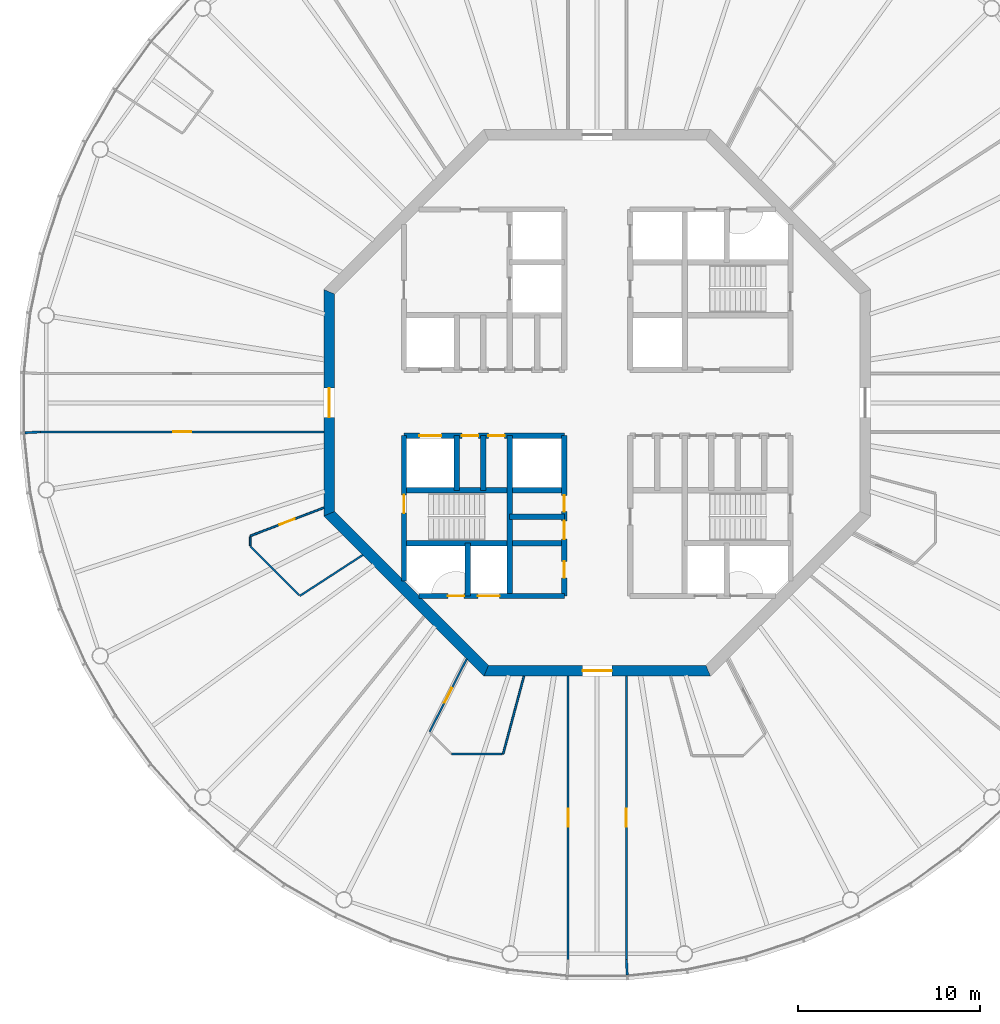
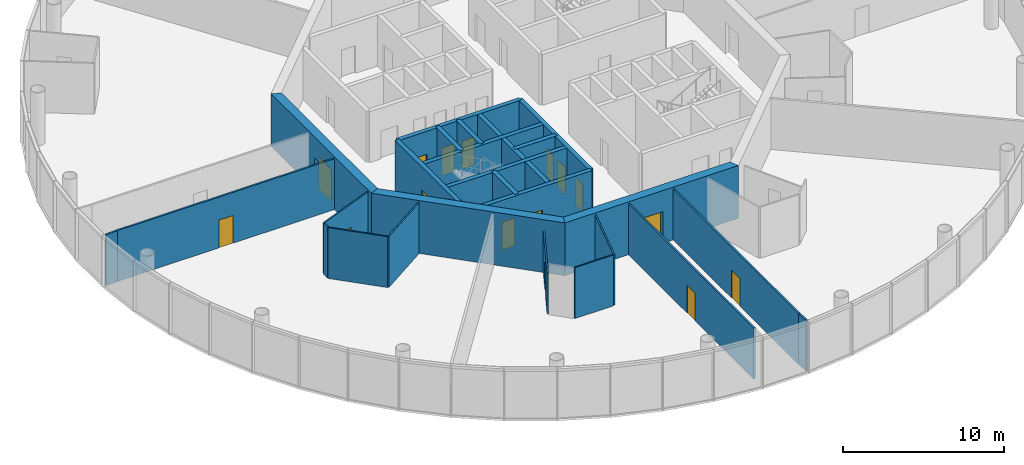
# One storey, part 3 of 13: 26 walls, 16 doors, 16 openings.
"""IFC4 building model written with IfcOpenShell, lengths in metres."""

from ifc_helpers import new_model, si_unit, direction, frame, frame_2d, origin, place, context, subcontext, project, spatial, polyline, rectangle, outline, extrude, material, layer, layer_set, type_object, element, fill, save


model = new_model("IFC4")

# Units and contexts
model_context = context("Model", 3, precision=1e-05, world=origin(), true_north=direction((0.0, 1.0)))
body_context = subcontext(model_context, "Body", "Model", "MODEL_VIEW")
ifc_project = project(units=[si_unit("LENGTHUNIT", "METRE"), si_unit("AREAUNIT", "SQUARE_METRE"), si_unit("VOLUMEUNIT", "CUBIC_METRE"), si_unit("PLANEANGLEUNIT", "RADIAN"), si_unit("MASSUNIT", "GRAM", prefix="KILO")], contexts=[model_context])

# Site, building, storey
site_placement = place(None, origin())
site = spatial("IfcSite", under=ifc_project, at=site_placement, CompositionType="ELEMENT")
building_placement = place(site_placement, origin())
building = spatial("IfcBuilding", under=site, at=building_placement, Name="Entoto Ring Tower", CompositionType="ELEMENT")
storey_placement = place(building_placement, frame((0.0, 0.0, 360.0)))
storey = spatial("IfcBuildingStorey", under=building, at=storey_placement, Name="L83", CompositionType="ELEMENT", Elevation=360.0)

# Wall, openings, doors
ifc_material_1 = material(Name="Concrete C40/50", Category="concrete")
ifc_layer_1 = layer(ifc_material_1, 0.300048828125)
ifc_layer_set_1 = layer_set([ifc_layer_1], Name="Concrete C40/50")
wall_type_1 = type_object("IfcWallType", Name="Core enclosure wall 300 mm reinforced concrete", PredefinedType="SOLIDWALL", material=ifc_layer_set_1)
wall_1_placement = place(storey_placement, frame((88.199951171875, 69.39990234375, 0.0), z_axis=(0.0, 0.0, 1.0), x_axis=(0.0, 1.0, 0.0)))
wall_1 = element("IfcWall", 1, at=wall_1_placement, inside=storey, type_object=wall_type_1, Name="wall-L83-013", PredefinedType="SOLIDWALL", context=body_context, shape_type="SweptSolid", body=[
    extrude(rectangle(XDim=8.800048828125, YDim=0.300048828125, at=frame_2d((4.39990234375, 0.0))), origin(), (0.0, 0.0, 1.0), 3.85009765625),
])
opening_1_placement = place(wall_1_placement, frame((3.125, 0.0, 0.0)))
opening_1 = element("IfcOpeningElement", 2, at=opening_1_placement, cuts=wall_1, Name="Opening K-70", PredefinedType="OPENING", context=body_context, shape_type="SweptSolid", body=[
    extrude(rectangle(XDim=1.0, YDim=2.10009765625, at=frame_2d((0.5, 1.050048828125))), frame((0.0, 0.16015625, 0.0), z_axis=(0.0, -1.0, 0.0), x_axis=(1.0, 0.0, 0.0)), (0.0, 0.0, 1.0), 0.320068359375),
])
opening_2_placement = place(wall_1_placement, frame((4.625, 0.0, 0.0)))
opening_2 = element("IfcOpeningElement", 3, at=opening_2_placement, cuts=wall_1, Name="Opening K-71", PredefinedType="OPENING", context=body_context, shape_type="SweptSolid", body=[
    extrude(rectangle(XDim=0.89990234375, YDim=2.10009765625, at=frame_2d((0.449951171875, 1.050048828125))), frame((0.0, 0.16015625, 0.0), z_axis=(0.0, -1.0, 0.0), x_axis=(1.0, 0.0, 0.0)), (0.0, 0.0, 1.0), 0.320068359375),
])
opening_3_placement = place(wall_1_placement, frame((1.0, 0.0, 0.0)))
opening_3 = element("IfcOpeningElement", 4, at=opening_3_placement, cuts=wall_1, Name="Opening K-24", PredefinedType="OPENING", context=body_context, shape_type="SweptSolid", body=[
    extrude(rectangle(XDim=0.89990234375, YDim=2.10009765625, at=frame_2d((0.449951171875, 1.050048828125))), frame((0.0, 0.16015625, 0.0), z_axis=(0.0, -1.0, 0.0), x_axis=(1.0, 0.0, 0.0)), (0.0, 0.0, 1.0), 0.320068359375),
])
ifc_material_2 = material(Name="Steel door leaf, fire rated", Category="steel")
ifc_layer_2 = layer(ifc_material_2, 0.050048828125)
ifc_layer_set_2 = layer_set([ifc_layer_2], Name="Steel door leaf, fire rated")
door_type_1 = type_object("IfcDoorType", Name="Accessible door 1000 x 2100 single leaf", OperationType="NOTDEFINED", PredefinedType="DOOR", material=ifc_layer_set_2)
door_1_placement = place(opening_1_placement, origin())
door_1 = element("IfcDoor", 5, at=door_1_placement, inside=storey, type_object=door_type_1, Name="Door K-70", OperationType="SINGLE_SWING_RIGHT", OverallHeight=2.10009765625, OverallWidth=1.0, PredefinedType="DOOR", context=body_context, shape_type="SweptSolid", body=[
    extrude(rectangle(XDim=1.0, YDim=2.10009765625, at=frame_2d((0.5, 1.050048828125))), frame((0.0, 0.02490234375, 0.0), z_axis=(0.0, -1.0, 0.0), x_axis=(1.0, 0.0, 0.0)), (0.0, 0.0, 1.0), 0.050048828125),
])
fill(opening_1, door_1)
ifc_material_3 = material(Name="Steel door leaf, fire rated", Category="steel")
ifc_layer_3 = layer(ifc_material_3, 0.050048828125)
ifc_layer_set_3 = layer_set([ifc_layer_3], Name="Steel door leaf, fire rated")
door_type_2 = type_object("IfcDoorType", Name="Core door 900 x 2100 single leaf", OperationType="NOTDEFINED", PredefinedType="DOOR", material=ifc_layer_set_3)
door_2_placement = place(opening_2_placement, origin())
door_2 = element("IfcDoor", 6, at=door_2_placement, inside=storey, type_object=door_type_2, Name="Door K-71", OperationType="SINGLE_SWING_RIGHT", OverallHeight=2.10009765625, OverallWidth=0.89990234375, PredefinedType="DOOR", context=body_context, shape_type="SweptSolid", body=[
    extrude(rectangle(XDim=0.89990234375, YDim=2.10009765625, at=frame_2d((0.449951171875, 1.050048828125))), frame((0.0, 0.02490234375, 0.0), z_axis=(0.0, -1.0, 0.0), x_axis=(1.0, 0.0, 0.0)), (0.0, 0.0, 1.0), 0.050048828125),
])
fill(opening_2, door_2)
door_3_placement = place(opening_3_placement, origin())
door_3 = element("IfcDoor", 7, at=door_3_placement, inside=storey, type_object=door_type_2, Name="Door K-24", OperationType="SINGLE_SWING_RIGHT", OverallHeight=2.10009765625, OverallWidth=0.89990234375, PredefinedType="DOOR", context=body_context, shape_type="SweptSolid", body=[
    extrude(rectangle(XDim=0.89990234375, YDim=2.10009765625, at=frame_2d((0.449951171875, 1.050048828125))), frame((0.0, 0.02490234375, 0.0), z_axis=(0.0, -1.0, 0.0), x_axis=(1.0, 0.0, 0.0)), (0.0, 0.0, 1.0), 0.050048828125),
])
fill(opening_3, door_3)

# Walls
wall_2_placement = place(storey_placement, frame((85.199951171875, 69.39990234375, 0.0), z_axis=(0.0, 0.0, 1.0), x_axis=(0.0, 1.0, 0.0)))
element("IfcWall", 8, at=wall_2_placement, inside=storey, type_object=wall_type_1, Name="wall-L83-016", PredefinedType="SOLIDWALL", context=body_context, shape_type="SweptSolid", body=[
    extrude(rectangle(XDim=8.800048828125, YDim=0.300048828125, at=frame_2d((4.39990234375, 0.0))), origin(), (0.0, 0.0, 1.0), 3.85009765625),
])
wall_3_placement = place(storey_placement, frame((83.75, 75.199951171875, 0.0), z_axis=(0.0, 0.0, 1.0), x_axis=(0.0, 1.0, 0.0)))
element("IfcWall", 9, at=wall_3_placement, inside=storey, type_object=wall_type_1, Name="wall-L83-018", PredefinedType="SOLIDWALL", context=body_context, shape_type="SweptSolid", body=[
    extrude(rectangle(XDim=3.0, YDim=0.300048828125, at=frame_2d((1.5, 0.0))), origin(), (0.0, 0.0, 1.0), 3.85009765625),
])
wall_4_placement = place(storey_placement, frame((82.89990234375, 69.39990234375, 0.0), z_axis=(0.0, 0.0, 1.0), x_axis=(0.0, 1.0, 0.0)))
element("IfcWall", 10, at=wall_4_placement, inside=storey, type_object=wall_type_1, Name="wall-L83-020", PredefinedType="SOLIDWALL", context=body_context, shape_type="SweptSolid", body=[
    extrude(rectangle(XDim=2.900146484375, YDim=0.300048828125, at=frame_2d((1.4501953125, 0.0))), origin(), (0.0, 0.0, 1.0), 3.85009765625),
])
wall_5_placement = place(storey_placement, frame((82.300048828125, 75.199951171875, 0.0), z_axis=(0.0, 0.0, 1.0), x_axis=(0.0, 1.0, 0.0)))
element("IfcWall", 11, at=wall_5_placement, inside=storey, type_object=wall_type_1, Name="wall-L83-021", PredefinedType="SOLIDWALL", context=body_context, shape_type="SweptSolid", body=[
    extrude(rectangle(XDim=3.0, YDim=0.300048828125, at=frame_2d((1.5, 0.0))), origin(), (0.0, 0.0, 1.0), 3.85009765625),
])

# Wall, opening, door
wall_6_placement = place(storey_placement, frame((79.39990234375, 70.2353515625, 0.0), z_axis=(0.0, 0.0, 1.0), x_axis=(0.0, 1.0, 0.0)))
wall_6 = element("IfcWall", 12, at=wall_6_placement, inside=storey, type_object=wall_type_1, Name="wall-L83-023", PredefinedType="SOLIDWALL", context=body_context, shape_type="SweptSolid", body=[
    extrude(rectangle(XDim=7.964599609375, YDim=0.300048828125, at=frame_2d((3.982421875, 0.0))), origin(), (0.0, 0.0, 1.0), 3.85009765625),
])
opening_4_placement = place(wall_6_placement, frame((3.714599609375, 0.0, 0.0)))
opening_4 = element("IfcOpeningElement", 13, at=opening_4_placement, cuts=wall_6, Name="Opening K-30", PredefinedType="OPENING", context=body_context, shape_type="SweptSolid", body=[
    extrude(rectangle(XDim=1.0, YDim=2.10009765625, at=frame_2d((0.5, 1.050048828125))), frame((0.0, 0.16015625, 0.0), z_axis=(0.0, -1.0, 0.0), x_axis=(1.0, 0.0, 0.0)), (0.0, 0.0, 1.0), 0.320068359375),
])
ifc_material_4 = material(Name="Steel door leaf, fire rated", Category="steel")
ifc_layer_4 = layer(ifc_material_4, 0.050048828125)
ifc_layer_set_4 = layer_set([ifc_layer_4], Name="Steel door leaf, fire rated")
door_type_3 = type_object("IfcDoorType", Name="Fire door FD60 1000 x 2100 single leaf", OperationType="NOTDEFINED", PredefinedType="DOOR", material=ifc_layer_set_4)
door_4_placement = place(opening_4_placement, frame((1.0, 0.0, 0.0), z_axis=(0.0, 0.0, 1.0), x_axis=(-1.0, 0.0, 0.0)))
door_4 = element("IfcDoor", 14, at=door_4_placement, inside=storey, type_object=door_type_3, Name="Door K-30", OperationType="SINGLE_SWING_LEFT", OverallHeight=2.10009765625, OverallWidth=1.0, PredefinedType="DOOR", context=body_context, shape_type="SweptSolid", body=[
    extrude(rectangle(XDim=1.0, YDim=2.10009765625, at=frame_2d((0.5, 1.050048828125))), frame((0.0, 0.02490234375, 0.0), z_axis=(0.0, -1.0, 0.0), x_axis=(1.0, 0.0, 0.0)), (0.0, 0.0, 1.0), 0.050048828125),
])
fill(opening_4, door_4)

# Wall, openings, doors
wall_7_placement = place(storey_placement, frame((80.2353515625, 69.39990234375, 0.0), z_axis=(0.0, 0.0, 1.0), x_axis=(1.0, 0.0, 0.0)))
wall_7 = element("IfcWall", 15, at=wall_7_placement, inside=storey, type_object=wall_type_1, Name="wall-L83-025", PredefinedType="SOLIDWALL", context=body_context, shape_type="SweptSolid", body=[
    extrude(rectangle(XDim=7.964599609375, YDim=0.300048828125, at=frame_2d((3.982421875, 0.0))), origin(), (0.0, 0.0, 1.0), 3.85009765625),
])
opening_5_placement = place(wall_7_placement, frame((3.214599609375, 0.0, 0.0)))
opening_5 = element("IfcOpeningElement", 16, at=opening_5_placement, cuts=wall_7, Name="Opening LD", PredefinedType="OPENING", context=body_context, shape_type="SweptSolid", body=[
    extrude(rectangle(XDim=1.199951171875, YDim=2.10009765625, at=frame_2d((0.60009765625, 1.050048828125))), frame((0.0, 0.16015625, 0.0), z_axis=(0.0, -1.0, 0.0), x_axis=(1.0, 0.0, 0.0)), (0.0, 0.0, 1.0), 0.320068359375),
])
opening_6_placement = place(wall_7_placement, frame((1.564697265625, 0.0, 0.0)))
opening_6 = element("IfcOpeningElement", 17, at=opening_6_placement, cuts=wall_7, Name="Opening K-33", PredefinedType="OPENING", context=body_context, shape_type="SweptSolid", body=[
    extrude(rectangle(XDim=0.89990234375, YDim=2.10009765625, at=frame_2d((0.449951171875, 1.050048828125))), frame((0.0, 0.16015625, 0.0), z_axis=(0.0, -1.0, 0.0), x_axis=(1.0, 0.0, 0.0)), (0.0, 0.0, 1.0), 0.320068359375),
])
ifc_material_5 = material(Name="Steel and glass door leaf", Category="steel")
ifc_layer_5 = layer(ifc_material_5, 0.050048828125)
ifc_layer_set_5 = layer_set([ifc_layer_5], Name="Steel and glass door leaf")
door_type_4 = type_object("IfcDoorType", Name="Landing door 1200 x 2100 sliding", OperationType="DOUBLE_DOOR_SLIDING", PredefinedType="DOOR", material=ifc_layer_set_5)
door_5_placement = place(opening_5_placement, origin())
door_5 = element("IfcDoor", 18, at=door_5_placement, inside=storey, type_object=door_type_4, Name="Landing door LB3-HR", OperationType="SLIDING_TO_RIGHT", OverallHeight=2.10009765625, OverallWidth=1.199951171875, PredefinedType="DOOR", context=body_context, shape_type="SweptSolid", body=[
    extrude(rectangle(XDim=1.199951171875, YDim=2.10009765625, at=frame_2d((0.60009765625, 1.050048828125))), frame((0.0, 0.02490234375, 0.0), z_axis=(0.0, -1.0, 0.0), x_axis=(1.0, 0.0, 0.0)), (0.0, 0.0, 1.0), 0.050048828125),
])
fill(opening_5, door_5)
ifc_material_6 = material(Name="Steel door leaf, fire rated", Category="steel")
ifc_layer_6 = layer(ifc_material_6, 0.050048828125)
ifc_layer_set_6 = layer_set([ifc_layer_6], Name="Steel door leaf, fire rated")
door_type_5 = type_object("IfcDoorType", Name="Riser door FD60 900 x 2100 single leaf", OperationType="NOTDEFINED", PredefinedType="DOOR", material=ifc_layer_set_6)
door_6_placement = place(opening_6_placement, origin())
door_6 = element("IfcDoor", 19, at=door_6_placement, inside=storey, type_object=door_type_5, Name="Door K-33", OperationType="SINGLE_SWING_RIGHT", OverallHeight=2.10009765625, OverallWidth=0.89990234375, PredefinedType="DOOR", context=body_context, shape_type="SweptSolid", body=[
    extrude(rectangle(XDim=0.89990234375, YDim=2.10009765625, at=frame_2d((0.449951171875, 1.050048828125))), frame((0.0, 0.02490234375, 0.0), z_axis=(0.0, -1.0, 0.0), x_axis=(1.0, 0.0, 0.0)), (0.0, 0.0, 1.0), 0.050048828125),
])
fill(opening_6, door_6)

# Walls
wall_8_placement = place(storey_placement, frame((79.39990234375, 72.300048828125, 0.0), z_axis=(0.0, 0.0, 1.0), x_axis=(1.0, 0.0, 0.0)))
element("IfcWall", 20, at=wall_8_placement, inside=storey, type_object=wall_type_1, Name="wall-L83-027", PredefinedType="SOLIDWALL", context=body_context, shape_type="SweptSolid", body=[
    extrude(rectangle(XDim=8.800048828125, YDim=0.300048828125, at=frame_2d((4.39990234375, 0.0))), origin(), (0.0, 0.0, 1.0), 3.85009765625),
])
wall_9_placement = place(storey_placement, frame((85.199951171875, 73.75, 0.0), z_axis=(0.0, 0.0, 1.0), x_axis=(1.0, 0.0, 0.0)))
element("IfcWall", 21, at=wall_9_placement, inside=storey, type_object=wall_type_1, Name="wall-L83-029", PredefinedType="SOLIDWALL", context=body_context, shape_type="SweptSolid", body=[
    extrude(rectangle(XDim=3.0, YDim=0.300048828125, at=frame_2d((1.5, 0.0))), origin(), (0.0, 0.0, 1.0), 3.85009765625),
])
wall_10_placement = place(storey_placement, frame((79.39990234375, 75.199951171875, 0.0), z_axis=(0.0, 0.0, 1.0), x_axis=(1.0, 0.0, 0.0)))
element("IfcWall", 22, at=wall_10_placement, inside=storey, type_object=wall_type_1, Name="wall-L83-030", PredefinedType="SOLIDWALL", context=body_context, shape_type="SweptSolid", body=[
    extrude(rectangle(XDim=8.800048828125, YDim=0.300048828125, at=frame_2d((4.39990234375, 0.0))), origin(), (0.0, 0.0, 1.0), 3.85009765625),
])

# Wall, openings, doors
wall_11_placement = place(storey_placement, frame((79.39990234375, 78.199951171875, 0.0), z_axis=(0.0, 0.0, 1.0), x_axis=(1.0, 0.0, 0.0)))
wall_11 = element("IfcWall", 23, at=wall_11_placement, inside=storey, type_object=wall_type_1, Name="wall-L83-032", PredefinedType="SOLIDWALL", context=body_context, shape_type="SweptSolid", body=[
    extrude(rectangle(XDim=8.800048828125, YDim=0.300048828125, at=frame_2d((4.39990234375, 0.0))), origin(), (0.0, 0.0, 1.0), 3.85009765625),
])
opening_7_placement = place(wall_11_placement, frame((0.85009765625, 0.0, 0.0)))
opening_7 = element("IfcOpeningElement", 24, at=opening_7_placement, cuts=wall_11, Name="Opening LD", PredefinedType="OPENING", context=body_context, shape_type="SweptSolid", body=[
    extrude(rectangle(XDim=1.199951171875, YDim=2.10009765625, at=frame_2d((0.60009765625, 1.050048828125))), frame((0.0, 0.16015625, 0.0), z_axis=(0.0, -1.0, 0.0), x_axis=(1.0, 0.0, 0.0)), (0.0, 0.0, 1.0), 0.320068359375),
])
opening_8_placement = place(wall_11_placement, frame((3.175048828125, 0.0, 0.0)))
opening_8 = element("IfcOpeningElement", 25, at=opening_8_placement, cuts=wall_11, Name="Opening K-18", PredefinedType="OPENING", context=body_context, shape_type="SweptSolid", body=[
    extrude(rectangle(XDim=0.89990234375, YDim=2.10009765625, at=frame_2d((0.449951171875, 1.050048828125))), frame((0.0, 0.16015625, 0.0), z_axis=(0.0, -1.0, 0.0), x_axis=(1.0, 0.0, 0.0)), (0.0, 0.0, 1.0), 0.320068359375),
])
opening_9_placement = place(wall_11_placement, frame((4.625, 0.0, 0.0)))
opening_9 = element("IfcOpeningElement", 26, at=opening_9_placement, cuts=wall_11, Name="Opening K-19", PredefinedType="OPENING", context=body_context, shape_type="SweptSolid", body=[
    extrude(rectangle(XDim=0.89990234375, YDim=2.10009765625, at=frame_2d((0.449951171875, 1.050048828125))), frame((0.0, 0.16015625, 0.0), z_axis=(0.0, -1.0, 0.0), x_axis=(1.0, 0.0, 0.0)), (0.0, 0.0, 1.0), 0.320068359375),
])
door_7_placement = place(opening_8_placement, frame((0.89990234375, 0.0, 0.0), z_axis=(0.0, 0.0, 1.0), x_axis=(-1.0, 0.0, 0.0)))
door_7 = element("IfcDoor", 27, at=door_7_placement, inside=storey, type_object=door_type_2, Name="Door K-18", OperationType="SINGLE_SWING_LEFT", OverallHeight=2.10009765625, OverallWidth=0.89990234375, PredefinedType="DOOR", context=body_context, shape_type="SweptSolid", body=[
    extrude(rectangle(XDim=0.89990234375, YDim=2.10009765625, at=frame_2d((0.449951171875, 1.050048828125))), frame((0.0, 0.02490234375, 0.0), z_axis=(0.0, -1.0, 0.0), x_axis=(1.0, 0.0, 0.0)), (0.0, 0.0, 1.0), 0.050048828125),
])
fill(opening_8, door_7)
door_8_placement = place(opening_9_placement, frame((0.89990234375, 0.0, 0.0), z_axis=(0.0, 0.0, 1.0), x_axis=(-1.0, 0.0, 0.0)))
door_8 = element("IfcDoor", 28, at=door_8_placement, inside=storey, type_object=door_type_2, Name="Door K-19", OperationType="SINGLE_SWING_LEFT", OverallHeight=2.10009765625, OverallWidth=0.89990234375, PredefinedType="DOOR", context=body_context, shape_type="SweptSolid", body=[
    extrude(rectangle(XDim=0.89990234375, YDim=2.10009765625, at=frame_2d((0.449951171875, 1.050048828125))), frame((0.0, 0.02490234375, 0.0), z_axis=(0.0, -1.0, 0.0), x_axis=(1.0, 0.0, 0.0)), (0.0, 0.0, 1.0), 0.050048828125),
])
fill(opening_9, door_8)
door_9_placement = place(opening_7_placement, origin())
door_9 = element("IfcDoor", 29, at=door_9_placement, inside=storey, type_object=door_type_4, Name="Landing door SH2", OperationType="SLIDING_TO_RIGHT", OverallHeight=2.10009765625, OverallWidth=1.199951171875, PredefinedType="DOOR", context=body_context, shape_type="SweptSolid", body=[
    extrude(rectangle(XDim=1.199951171875, YDim=2.10009765625, at=frame_2d((0.60009765625, 1.050048828125))), frame((0.0, 0.02490234375, 0.0), z_axis=(0.0, -1.0, 0.0), x_axis=(1.0, 0.0, 0.0)), (0.0, 0.0, 1.0), 0.050048828125),
])
fill(opening_7, door_9)

# Wall, opening, door
ifc_material_7 = material(Name="Concrete C40/50", Category="concrete")
ifc_layer_7 = layer(ifc_material_7, 0.60009765625)
ifc_layer_set_7 = layer_set([ifc_layer_7], Name="Concrete C40/50")
wall_type_2 = type_object("IfcWallType", Name="Core shear wall 600 mm reinforced concrete C40/50", PredefinedType="SHEAR", material=ifc_layer_set_7)
wall_12_placement = place(storey_placement, frame((75.300048828125, 86.0888671875, 0.0), z_axis=(0.0, 0.0, 1.0), x_axis=(0.0, -1.0, 0.0)))
wall_12 = element("IfcWall", 30, at=wall_12_placement, inside=storey, type_object=wall_type_2, Name="wall-L83-core-4", PredefinedType="SHEAR", context=body_context, shape_type="SweptSolid", body=[
    extrude(outline(polyline([(-0.124267578125, -0.300048828125), (12.302001953125, -0.300048828125), (12.053466796875, 0.300048828125), (0.124267578125, 0.300048828125), (-0.124267578125, -0.300048828125)])), origin(), (0.0, 0.0, 1.0), 4.0),
])
opening_10_placement = place(wall_12_placement, frame((5.288818359375, 0.0, 0.0)))
opening_10 = element("IfcOpeningElement", 31, at=opening_10_placement, cuts=wall_12, Name="Opening K-03", PredefinedType="OPENING", context=body_context, shape_type="SweptSolid", body=[
    extrude(rectangle(XDim=1.60009765625, YDim=2.39990234375, at=frame_2d((0.800048828125, 1.199951171875))), frame((0.0, 0.31005859375, 0.0), z_axis=(0.0, -1.0, 0.0), x_axis=(1.0, 0.0, 0.0)), (0.0, 0.0, 1.0), 0.6201171875),
])
ifc_material_8 = material(Name="Steel door leaf, fire rated", Category="steel")
ifc_layer_8 = layer(ifc_material_8, 0.050048828125)
ifc_layer_set_8 = layer_set([ifc_layer_8], Name="Steel door leaf, fire rated")
door_type_6 = type_object("IfcDoorType", Name="Entrance door FD60 1600 x 2400 double leaf", OperationType="DOUBLE_DOOR_SINGLE_SWING", PredefinedType="DOOR", material=ifc_layer_set_8)
door_10_placement = place(opening_10_placement, origin())
door_10 = element("IfcDoor", 32, at=door_10_placement, inside=storey, type_object=door_type_6, Name="Entrance door K-03", OperationType="DOUBLE_DOOR_SINGLE_SWING", OverallHeight=2.39990234375, OverallWidth=1.60009765625, PredefinedType="DOOR", context=body_context, shape_type="SweptSolid", body=[
    extrude(rectangle(XDim=1.60009765625, YDim=2.39990234375, at=frame_2d((0.800048828125, 1.199951171875))), frame((0.0, 0.02490234375, 0.0), z_axis=(0.0, -1.0, 0.0), x_axis=(1.0, 0.0, 0.0)), (0.0, 0.0, 1.0), 0.050048828125),
])
fill(opening_10, door_10)

# Wall
wall_13_placement = place(storey_placement, frame((75.300048828125, 73.9111328125, 0.0), z_axis=(0.0, 0.0, 1.0), x_axis=(0.707106781187, -0.707106781187, 0.0)))
element("IfcWall", 33, at=wall_13_placement, inside=storey, type_object=wall_type_2, Name="wall-L83-core-5", PredefinedType="SHEAR", context=body_context, shape_type="SweptSolid", body=[
    extrude(outline(polyline([(-0.124267578125, -0.300048828125), (12.30224609375, -0.300048828125), (12.0537109375, 0.300048828125), (0.124267578125, 0.300048828125), (-0.124267578125, -0.300048828125)])), origin(), (0.0, 0.0, 1.0), 4.0),
])

# Wall, opening, door
wall_14_placement = place(storey_placement, frame((83.9111328125, 65.300048828125, 0.0), z_axis=(0.0, 0.0, 1.0), x_axis=(1.0, 0.0, 0.0)))
wall_14 = element("IfcWall", 34, at=wall_14_placement, inside=storey, type_object=wall_type_2, Name="wall-L83-core-6", PredefinedType="SHEAR", context=body_context, shape_type="SweptSolid", body=[
    extrude(outline(polyline([(-0.124267578125, -0.300048828125), (12.302001953125, -0.300048828125), (12.053466796875, 0.300048828125), (0.124267578125, 0.300048828125), (-0.124267578125, -0.300048828125)])), origin(), (0.0, 0.0, 1.0), 4.0),
])
opening_11_placement = place(wall_14_placement, frame((5.288818359375, 0.0, 0.0)))
opening_11 = element("IfcOpeningElement", 35, at=opening_11_placement, cuts=wall_14, Name="Opening K-04", PredefinedType="OPENING", context=body_context, shape_type="SweptSolid", body=[
    extrude(rectangle(XDim=1.60009765625, YDim=2.39990234375, at=frame_2d((0.800048828125, 1.199951171875))), frame((0.0, 0.31005859375, 0.0), z_axis=(0.0, -1.0, 0.0), x_axis=(1.0, 0.0, 0.0)), (0.0, 0.0, 1.0), 0.6201171875),
])
door_11_placement = place(opening_11_placement, origin())
door_11 = element("IfcDoor", 36, at=door_11_placement, inside=storey, type_object=door_type_6, Name="Entrance door K-04", OperationType="DOUBLE_DOOR_SINGLE_SWING", OverallHeight=2.39990234375, OverallWidth=1.60009765625, PredefinedType="DOOR", context=body_context, shape_type="SweptSolid", body=[
    extrude(rectangle(XDim=1.60009765625, YDim=2.39990234375, at=frame_2d((0.800048828125, 1.199951171875))), frame((0.0, 0.02490234375, 0.0), z_axis=(0.0, -1.0, 0.0), x_axis=(1.0, 0.0, 0.0)), (0.0, 0.0, 1.0), 0.050048828125),
])
fill(opening_11, door_11)

ifc_material_9 = material(Name="Fire-resisting plasterboard on steel studs", Category="steel")
ifc_layer_9 = layer(ifc_material_9, 0.125)
ifc_layer_set_9 = layer_set([ifc_layer_9], Name="Fire-resisting plasterboard on steel studs")
wall_type_3 = type_object("IfcWallType", Name="Corridor wall 125 mm one-hour plasterboard on steel studs", PredefinedType="PARTITIONING", material=ifc_layer_set_9)
wall_15_placement = place(storey_placement, frame((59.47021484375, 78.39990234375, 0.0), z_axis=(0.0, 0.0, 1.0), x_axis=(1.0, 0.0, 0.0)))
wall_15 = element("IfcWall", 37, at=wall_15_placement, inside=storey, type_object=wall_type_3, Name="partition-L83-001", PredefinedType="PARTITIONING", context=body_context, shape_type="SweptSolid", body=[
    extrude(rectangle(XDim=15.52978515625, YDim=0.125, at=frame_2d((7.764892578125, 0.0))), origin(), (0.0, 0.0, 1.0), 3.85009765625),
])
opening_12_placement = place(wall_15_placement, frame((7.264892578125, 0.0, 0.0)))
opening_12 = element("IfcOpeningElement", 38, at=opening_12_placement, cuts=wall_15, Name="Opening A36-D07", PredefinedType="OPENING", context=body_context, shape_type="SweptSolid", body=[
    extrude(rectangle(XDim=1.0, YDim=2.10009765625, at=frame_2d((0.5, 1.050048828125))), frame((0.0, 0.072509765625, 0.0), z_axis=(0.0, -1.0, 0.0), x_axis=(1.0, 0.0, 0.0)), (0.0, 0.0, 1.0), 0.14501953125),
])
ifc_material_10 = material(Name="Fire-resisting timber door set", Category="wood")
door_type_7 = type_object("IfcDoorType", Name="Door 1000 x 2100 single leaf FD30S fire door", OperationType="NOTDEFINED", PredefinedType="DOOR", material=ifc_material_10)
door_12_placement = place(opening_12_placement, frame((1.0, 0.0, 0.0), z_axis=(0.0, 0.0, 1.0), x_axis=(-1.0, 0.0, 0.0)))
door_12 = element("IfcDoor", 39, at=door_12_placement, inside=storey, type_object=door_type_7, Name="Door A36-D07", OperationType="SINGLE_SWING_LEFT", OverallHeight=2.10009765625, OverallWidth=1.0, PredefinedType="DOOR", context=body_context, shape_type="SweptSolid", body=[
    extrude(rectangle(XDim=1.0, YDim=2.10009765625, at=frame_2d((0.5, 1.050048828125))), frame((0.0, 0.02490234375, 0.0), z_axis=(0.0, -1.0, 0.0), x_axis=(1.0, 0.0, 0.0)), (0.0, 0.0, 1.0), 0.050048828125),
])
fill(opening_12, door_12)

wall_16_placement = place(storey_placement, frame((88.39990234375, 49.47021484375, 0.0), z_axis=(0.0, 0.0, 1.0), x_axis=(0.0, 1.0, 0.0)))
wall_16 = element("IfcWall", 40, at=wall_16_placement, inside=storey, type_object=wall_type_3, Name="partition-L83-003", PredefinedType="PARTITIONING", context=body_context, shape_type="SweptSolid", body=[
    extrude(rectangle(XDim=15.52978515625, YDim=0.125, at=frame_2d((7.764892578125, 0.0))), origin(), (0.0, 0.0, 1.0), 3.85009765625),
])
opening_13_placement = place(wall_16_placement, frame((7.264892578125, 0.0, 0.0)))
opening_13 = element("IfcOpeningElement", 41, at=opening_13_placement, cuts=wall_16, Name="Opening A36-D09", PredefinedType="OPENING", context=body_context, shape_type="SweptSolid", body=[
    extrude(rectangle(XDim=1.0, YDim=2.10009765625, at=frame_2d((0.5, 1.050048828125))), frame((0.0, 0.072509765625, 0.0), z_axis=(0.0, -1.0, 0.0), x_axis=(1.0, 0.0, 0.0)), (0.0, 0.0, 1.0), 0.14501953125),
])
door_13_placement = place(opening_13_placement, origin())
door_13 = element("IfcDoor", 42, at=door_13_placement, inside=storey, type_object=door_type_7, Name="Door A36-D09", OperationType="SINGLE_SWING_RIGHT", OverallHeight=2.10009765625, OverallWidth=1.0, PredefinedType="DOOR", context=body_context, shape_type="SweptSolid", body=[
    extrude(rectangle(XDim=1.0, YDim=2.10009765625, at=frame_2d((0.5, 1.050048828125))), frame((0.0, 0.02490234375, 0.0), z_axis=(0.0, -1.0, 0.0), x_axis=(1.0, 0.0, 0.0)), (0.0, 0.0, 1.0), 0.050048828125),
])
fill(opening_13, door_13)

wall_17_placement = place(storey_placement, frame((91.60009765625, 49.47021484375, 0.0), z_axis=(0.0, 0.0, 1.0), x_axis=(0.0, 1.0, 0.0)))
wall_17 = element("IfcWall", 43, at=wall_17_placement, inside=storey, type_object=wall_type_3, Name="partition-L83-005", PredefinedType="PARTITIONING", context=body_context, shape_type="SweptSolid", body=[
    extrude(rectangle(XDim=15.52978515625, YDim=0.125, at=frame_2d((7.764892578125, 0.0))), origin(), (0.0, 0.0, 1.0), 3.85009765625),
])
opening_14_placement = place(wall_17_placement, frame((7.264892578125, 0.0, 0.0)))
opening_14 = element("IfcOpeningElement", 44, at=opening_14_placement, cuts=wall_17, Name="Opening A36-D11", PredefinedType="OPENING", context=body_context, shape_type="SweptSolid", body=[
    extrude(rectangle(XDim=1.0, YDim=2.10009765625, at=frame_2d((0.5, 1.050048828125))), frame((0.0, 0.072509765625, 0.0), z_axis=(0.0, -1.0, 0.0), x_axis=(1.0, 0.0, 0.0)), (0.0, 0.0, 1.0), 0.14501953125),
])
door_14_placement = place(opening_14_placement, frame((1.0, 0.0, 0.0), z_axis=(0.0, 0.0, 1.0), x_axis=(-1.0, 0.0, 0.0)))
door_14 = element("IfcDoor", 45, at=door_14_placement, inside=storey, type_object=door_type_7, Name="Door A36-D11", OperationType="SINGLE_SWING_LEFT", OverallHeight=2.10009765625, OverallWidth=1.0, PredefinedType="DOOR", context=body_context, shape_type="SweptSolid", body=[
    extrude(rectangle(XDim=1.0, YDim=2.10009765625, at=frame_2d((0.5, 1.050048828125))), frame((0.0, 0.02490234375, 0.0), z_axis=(0.0, -1.0, 0.0), x_axis=(1.0, 0.0, 0.0)), (0.0, 0.0, 1.0), 0.050048828125),
])
fill(opening_14, door_14)

# Walls
for number, where, z_axis, x_axis, name in (
    (46, (58.60302734375, 78.3544921875, 0.0), (0.0, 0.0, 1.0), (0.998620946423, 0.052499574911, 0.0), "partition-L83-009"),
    (47, (91.6455078125, 48.60302734375, 0.0), (0.0, 0.0, 1.0), (-0.052499574911, 0.998620946423, 0.0), "partition-L83-014"),
):
    element("IfcWall", number, at=place(storey_placement, frame(where, z_axis=z_axis, x_axis=x_axis)), inside=storey, type_object=wall_type_3, Name=name, PredefinedType="PARTITIONING", context=body_context, shape_type="SweptSolid", body=[
        extrude(rectangle(XDim=0.864990234375, YDim=0.125, at=frame_2d((0.4326171875, 0.0))), origin(), (0.0, 0.0, 1.0), 3.85009765625),
    ])
ifc_material_11 = material(Name="Plasterboard on steel studs", Category="steel")
ifc_layer_10 = layer(ifc_material_11, 0.10009765625)
ifc_layer_set_10 = layer_set([ifc_layer_10], Name="Plasterboard on steel studs")
wall_type_4 = type_object("IfcWallType", Name="Partition 100 mm plasterboard on steel studs", PredefinedType="PARTITIONING", material=ifc_layer_set_10)
wall_18_placement = place(storey_placement, frame((84.836669921875, 60.72998046875, 0.0), z_axis=(0.0, 0.0, 1.0), x_axis=(0.258796817064, 0.965931782, 0.0)))
element("IfcWall", 48, at=wall_18_placement, inside=storey, type_object=wall_type_4, Name="partition-L83-025", PredefinedType="PARTITIONING", context=body_context, shape_type="SweptSolid", body=[
    extrude(rectangle(XDim=4.420654296875, YDim=0.10009765625, at=frame_2d((2.21044921875, 0.0))), origin(), (0.0, 0.0, 1.0), 3.85009765625),
])

# Wall, opening, door
wall_19_placement = place(storey_placement, frame((70.969970703125, 72.695068359375, 0.0), z_axis=(0.0, 0.0, 1.0), x_axis=(0.933588820565, 0.358346081486, 0.0)))
wall_19 = element("IfcWall", 49, at=wall_19_placement, inside=storey, type_object=wall_type_4, Name="partition-L83-028", PredefinedType="PARTITIONING", context=body_context, shape_type="SweptSolid", body=[
    extrude(rectangle(XDim=4.316650390625, YDim=0.10009765625, at=frame_2d((2.158203125, 0.0))), origin(), (0.0, 0.0, 1.0), 3.85009765625),
])
opening_15_placement = place(wall_19_placement, frame((1.70849609375, 0.0, 0.0)))
opening_15 = element("IfcOpeningElement", 50, at=opening_15_placement, cuts=wall_19, Name="Opening A36-D08", PredefinedType="OPENING", context=body_context, shape_type="SweptSolid", body=[
    extrude(rectangle(XDim=0.89990234375, YDim=2.10009765625, at=frame_2d((0.449951171875, 1.050048828125))), frame((0.0, 0.06005859375, 0.0), z_axis=(0.0, -1.0, 0.0), x_axis=(1.0, 0.0, 0.0)), (0.0, 0.0, 1.0), 0.1201171875),
])
ifc_material_12 = material(Name="Veneered timber door leaf in timber frame", Category="wood")
door_type_8 = type_object("IfcDoorType", Name="Door 900 x 2100 single leaf timber veneer", OperationType="NOTDEFINED", PredefinedType="DOOR", material=ifc_material_12)
door_15_placement = place(opening_15_placement, frame((0.89990234375, 0.0, 0.0), z_axis=(0.0, 0.0, 1.0), x_axis=(-1.0, 0.0, 0.0)))
door_15 = element("IfcDoor", 51, at=door_15_placement, inside=storey, type_object=door_type_8, Name="Door A36-D08", OperationType="SINGLE_SWING_LEFT", OverallHeight=2.10009765625, OverallWidth=0.89990234375, PredefinedType="DOOR", context=body_context, shape_type="SweptSolid", body=[
    extrude(rectangle(XDim=0.89990234375, YDim=2.10009765625, at=frame_2d((0.449951171875, 1.050048828125))), frame((0.0, 0.02490234375, 0.0), z_axis=(0.0, -1.0, 0.0), x_axis=(1.0, 0.0, 0.0)), (0.0, 0.0, 1.0), 0.050048828125),
])
fill(opening_15, door_15)

# Walls
wall_20_placement = place(storey_placement, frame((73.68359375, 69.404052734375, 0.0), z_axis=(0.0, 0.0, 1.0), x_axis=(0.838672345353, 0.544636298038, 0.0)))
element("IfcWall", 52, at=wall_20_placement, inside=storey, type_object=wall_type_4, Name="partition-L83-029", PredefinedType="PARTITIONING", context=body_context, shape_type="SweptSolid", body=[
    extrude(rectangle(XDim=4.119873046875, YDim=0.10009765625, at=frame_2d((2.06005859375, 0.0))), origin(), (0.0, 0.0, 1.0), 3.85009765625),
])
wall_21_placement = place(storey_placement, frame((73.64892578125, 69.4384765625, 0.0), z_axis=(0.0, 0.0, 1.0), x_axis=(-0.707106781187, 0.707106781187, 0.0)))
element("IfcWall", 53, at=wall_21_placement, inside=storey, type_object=wall_type_4, Name="partition-L83-030", PredefinedType="PARTITIONING", context=body_context, shape_type="SweptSolid", body=[
    extrude(rectangle(XDim=3.78857421875, YDim=0.10009765625, at=frame_2d((1.894287109375, 0.0))), origin(), (0.0, 0.0, 1.0), 3.85009765625),
])
wall_22_placement = place(storey_placement, frame((82.01806640625, 60.72998046875, 0.0), z_axis=(0.0, 0.0, 1.0), x_axis=(1.0, 0.0, 0.0)))
element("IfcWall", 54, at=wall_22_placement, inside=storey, type_object=wall_type_4, Name="partition-L83-037", PredefinedType="PARTITIONING", context=body_context, shape_type="SweptSolid", body=[
    extrude(rectangle(XDim=2.770263671875, YDim=0.10009765625, at=frame_2d((1.38525390625, 0.0))), origin(), (0.0, 0.0, 1.0), 3.85009765625),
])
wall_23_placement = place(storey_placement, frame((70.969970703125, 72.152587890625, 0.0), z_axis=(0.0, 0.0, 1.0), x_axis=(0.0, 1.0, 0.0)))
element("IfcWall", 55, at=wall_23_placement, inside=storey, type_object=wall_type_4, Name="partition-L83-042", PredefinedType="PARTITIONING", context=body_context, shape_type="SweptSolid", body=[
    extrude(rectangle(XDim=0.495849609375, YDim=0.10009765625, at=frame_2d((0.248046875, 0.0))), origin(), (0.0, 0.0, 1.0), 3.85009765625),
])

# Wall, opening, door
ifc_material_13 = material(Name="Plasterboard on steel studs", Category="steel")
ifc_layer_11 = layer(ifc_material_13, 0.10009765625)
ifc_layer_set_11 = layer_set([ifc_layer_11], Name="Plasterboard on steel studs")
wall_type_5 = type_object("IfcWallType", Name="Partition 100 mm plasterboard on steel studs, 3097 mm high", PredefinedType="PARTITIONING", material=ifc_layer_set_11)
wall_24_placement = place(storey_placement, frame((80.801513671875, 61.94677734375, 0.0), z_axis=(0.0, 0.0, 1.0), x_axis=(0.453965697672, 0.891019161038, 0.0)))
wall_24 = element("IfcWall", 56, at=wall_24_placement, inside=storey, type_object=wall_type_5, Name="partition-L83-024", PredefinedType="PARTITIONING", context=body_context, shape_type="SweptSolid", body=[
    extrude(rectangle(XDim=4.489501953125, YDim=0.10009765625, at=frame_2d((2.24462890625, 0.0))), origin(), (0.0, 0.0, 1.0), 3.096923828125),
])
opening_16_placement = place(wall_24_placement, frame((1.794921875, 0.0, 0.0)))
opening_16 = element("IfcOpeningElement", 57, at=opening_16_placement, cuts=wall_24, Name="Opening A36-D10", PredefinedType="OPENING", context=body_context, shape_type="SweptSolid", body=[
    extrude(rectangle(XDim=0.89990234375, YDim=2.10009765625, at=frame_2d((0.449951171875, 1.050048828125))), frame((0.0, 0.06005859375, 0.0), z_axis=(0.0, -1.0, 0.0), x_axis=(1.0, 0.0, 0.0)), (0.0, 0.0, 1.0), 0.1201171875),
])
door_16_placement = place(opening_16_placement, frame((0.89990234375, 0.0, 0.0), z_axis=(0.0, 0.0, 1.0), x_axis=(-1.0, 0.0, 0.0)))
door_16 = element("IfcDoor", 58, at=door_16_placement, inside=storey, type_object=door_type_8, Name="Door A36-D10", OperationType="SINGLE_SWING_LEFT", OverallHeight=2.10009765625, OverallWidth=0.89990234375, PredefinedType="DOOR", context=body_context, shape_type="SweptSolid", body=[
    extrude(rectangle(XDim=0.89990234375, YDim=2.10009765625, at=frame_2d((0.449951171875, 1.050048828125))), frame((0.0, 0.02490234375, 0.0), z_axis=(0.0, -1.0, 0.0), x_axis=(1.0, 0.0, 0.0)), (0.0, 0.0, 1.0), 0.050048828125),
])
fill(opening_16, door_16)

save(model, "model.ifc")
